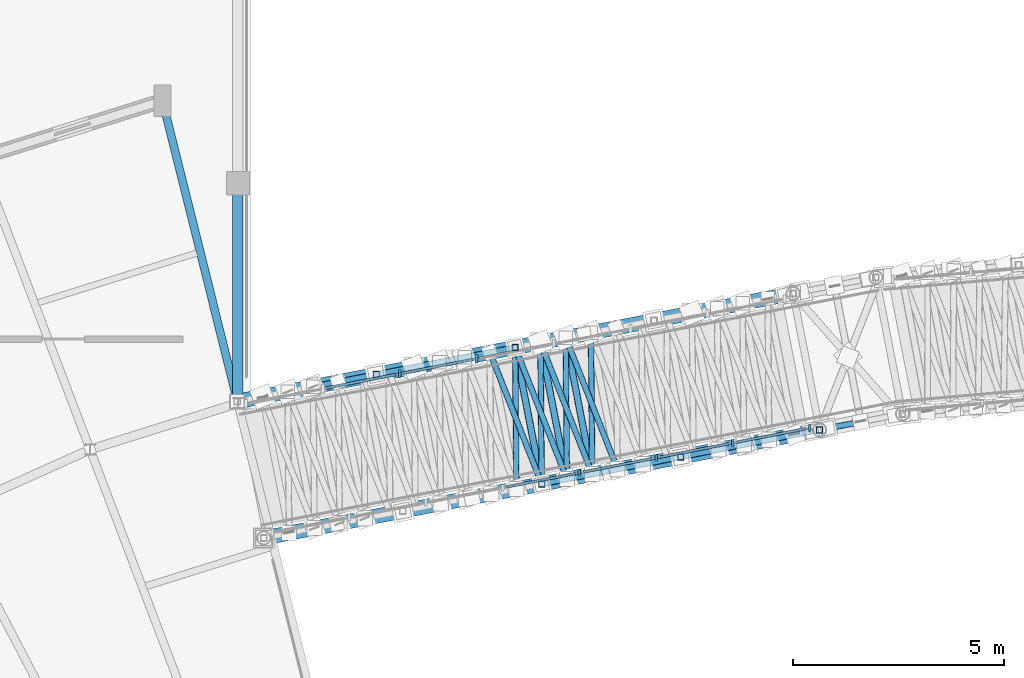
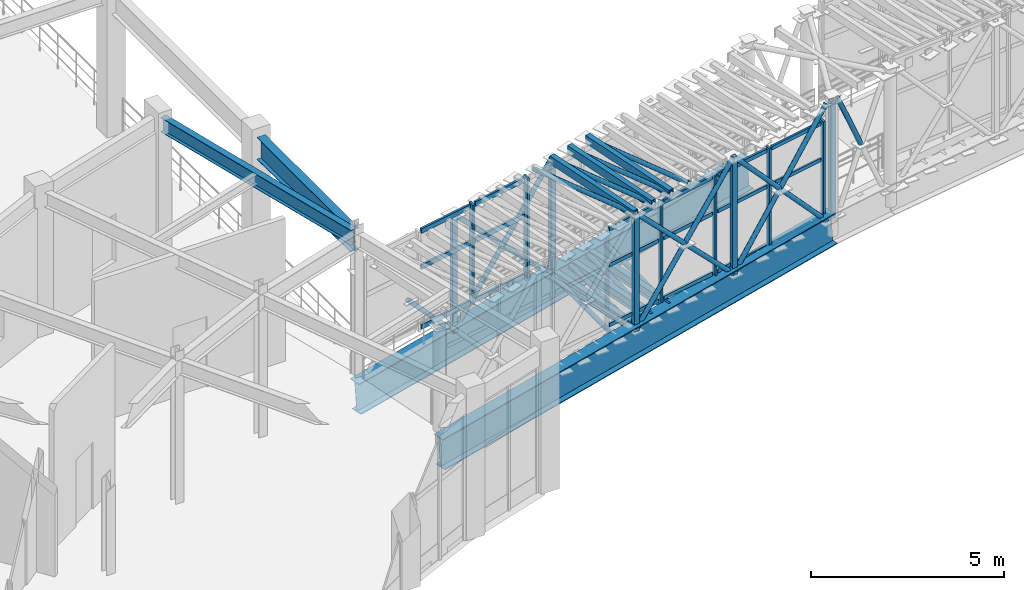
# One storey, part 48 of 144: 51 members, 7 beams, 2 elements without a shape of their own.
"""IFC4 building model written with IfcOpenShell, lengths in metres."""

from ifc_helpers import new_model, si_unit, direction, frame, origin, origin_2d, place, context, subcontext, project, spatial, rectangle, hollow_rectangle, hollow_circle, i_section, extrude, material, material_profile, profile_set, type_object, element, aggregate, save


model = new_model("IFC4")

# Units and contexts
model_context = context("Model", 3, precision=1e-05, world=origin(), true_north=direction((0.0, 1.0)))
body_context = subcontext(model_context, "Body", "Model", "MODEL_VIEW")
ifc_project = project(units=[si_unit("LENGTHUNIT", "METRE"), si_unit("AREAUNIT", "SQUARE_METRE"), si_unit("VOLUMEUNIT", "CUBIC_METRE"), si_unit("PLANEANGLEUNIT", "RADIAN"), si_unit("MASSUNIT", "GRAM", prefix="KILO")], contexts=[model_context])

# Site, building, storey
site_placement = place(None, origin())
site = spatial("IfcSite", under=ifc_project, at=site_placement, CompositionType="ELEMENT")
building_placement = place(site_placement, origin())
building = spatial("IfcBuilding", under=site, at=building_placement, Name="Cinderbank Siding Concert Hall", CompositionType="ELEMENT")
storey_placement = place(building_placement, frame((0.0, 0.0, 5.39990234375)))
storey = spatial("IfcBuildingStorey", under=building, at=storey_placement, Name="L02", CompositionType="ELEMENT", Elevation=5.39990234375)

# Beams
ifc_material_1 = material(Name="Structural steel AS/NZS 3679.1 Grade 350 (340 MPa)", Category="steel")
ifc_material_profile_1 = material_profile(ifc_material_1, i_section(OverallWidth=0.18994140625, OverallDepth=0.45751953125, WebThickness=0.009033203125, FlangeThickness=0.014404296875, at=origin_2d()), Name="460UB74.6", Category="LoadBearing")
ifc_profile_set_1 = profile_set([ifc_material_profile_1], Name="Structural steel AS/NZS 3679.1 Grade 350 (340 MPa)")
beam_type_1 = type_object("IfcBeamType", Name="BM-UB460 460UB74.6", PredefinedType="BEAM", material=ifc_profile_set_1)
beam_1_placement = place(storey_placement, frame((48.471435546875, 98.195556640625, 4.29345703125), z_axis=(-0.241935844922, 0.970292248213, 0.0), x_axis=(-0.970292248213, -0.241935844922, 0.0)))
element("IfcBeam", 1, at=beam_1_placement, inside=storey, type_object=beam_type_1, Name="L02 Beam BM-UB460 #944", PredefinedType="BEAM", context=body_context, shape_type="SweptSolid", body=[
    extrude(i_section(OverallWidth=0.18994140625, OverallDepth=0.45751953125, WebThickness=0.009033203125, FlangeThickness=0.014404296875, at=origin_2d()), origin(), (0.0, 0.0, 1.0), 7.087890625),
])
ifc_material_2 = material(Name="Structural steel welded plate section AS/NZS 3679.2 / AS/NZS 3678 Grade 350 (340 MPa)", Category="steel")
ifc_material_profile_2 = material_profile(ifc_material_2, i_section(OverallWidth=0.35009765625, OverallDepth=1.0, WebThickness=0.013916015625, FlangeThickness=0.02490234375, at=origin_2d()), Name="1000WB258", Category="LoadBearing")
ifc_profile_set_2 = profile_set([ifc_material_profile_2], Name="Structural steel welded plate section AS/NZS 3679.2 / AS/NZS 3678 Grade 350 (340 MPa)")
beam_type_2 = type_object("IfcBeamType", Name="BM-WB1000 1000WB258", PredefinedType="BEAM", material=ifc_profile_set_2)
beam_2_placement = place(storey_placement, frame((48.485107421875, 98.11962890625, -0.719970703125), z_axis=(0.979132442164, 0.190325459353, 0.071245211936), x_axis=(-0.190810340652, 0.981626921952, 0.0)))
element("IfcBeam", 2, at=beam_2_placement, inside=storey, type_object=beam_type_2, Name="L02 Beam BM-WB1000 #1902", PredefinedType="BEAM", context=body_context, shape_type="SweptSolid", body=[
    extrude(i_section(OverallWidth=0.35009765625, OverallDepth=1.0, WebThickness=0.013916015625, FlangeThickness=0.02490234375, at=origin_2d()), origin(), (0.0, 0.0, 1.0), 13.47412109375),
])
beam_3_placement = place(storey_placement, frame((49.114990234375, 94.8798828125, -0.719970703125), z_axis=(0.979123059708, 0.190374470074, 0.071243210844), x_axis=(-0.190859448887, 0.981617374933, 0.0)))
element("IfcBeam", 3, at=beam_3_placement, inside=storey, type_object=beam_type_2, Name="L02 Beam BM-WB1000 #1903", PredefinedType="BEAM", context=body_context, shape_type="SweptSolid", body=[
    extrude(i_section(OverallWidth=0.35009765625, OverallDepth=1.0, WebThickness=0.013916015625, FlangeThickness=0.02490234375, at=origin_2d()), origin(), (0.0, 0.0, 1.0), 13.474365234375),
])
ifc_material_profile_3 = material_profile(ifc_material_2, i_section(OverallWidth=0.25, OverallDepth=0.699951171875, WebThickness=0.010009765625, FlangeThickness=0.01611328125, at=origin_2d()), Name="700WB130", Category="LoadBearing")
ifc_profile_set_3 = profile_set([ifc_material_profile_3], Name="Structural steel welded plate section AS/NZS 3679.2 / AS/NZS 3678 Grade 350 (340 MPa)")
beam_type_3 = type_object("IfcBeamType", Name="BM-WB700 700WB130", PredefinedType="BEAM", material=ifc_profile_set_3)
beam_4_placement = place(storey_placement, frame((48.5, 98.198974609375, 4.172119140625), z_axis=(0.0, 1.0, 0.0), x_axis=(-1.0, 0.0, 0.0)))
element("IfcBeam", 4, at=beam_4_placement, inside=storey, type_object=beam_type_3, Name="L02 Beam BM-WB700 #1488", PredefinedType="BEAM", context=body_context, shape_type="SweptSolid", body=[
    extrude(i_section(OverallWidth=0.25, OverallDepth=0.699951171875, WebThickness=0.010009765625, FlangeThickness=0.01611328125, at=origin_2d()), origin(), (0.0, 0.0, 1.0), 4.833984375),
])

# Members
ifc_material_3 = material(Name="Structural steel hollow section AS/NZS 1163 Grade C350L0 (350 MPa)", Category="steel")
ifc_material_profile_4 = material_profile(ifc_material_3, hollow_circle(Radius=0.06982421875, WallThickness=0.00634765625, at=origin_2d()), Name="139.7x6.4CHS", Category="LoadBearing")
ifc_profile_set_4 = profile_set([ifc_material_profile_4], Name="Structural steel hollow section AS/NZS 1163 Grade C350L0 (350 MPa)")
member_type_1 = type_object("IfcMemberType", Name="BR-CHS139 139.7x6.4CHS Roof Truss", PredefinedType="BRACE", material=ifc_profile_set_4)
member_1_placement = place(storey_placement, frame((50.2373046875, 98.460205078125, 1.515869140625), z_axis=(0.661726184435, 0.128625443398, -0.738629780163), x_axis=(-0.190807427444, 0.981627488222, 0.0)))
element("IfcMember", 5, at=member_1_placement, inside=storey, type_object=member_type_1, Name="L02 Diagonal Brace BR-CHS139 #BRDL-BR-CHS139-L02-0041-S1", PredefinedType="BRACE", context=body_context, shape_type="SweptSolid", body=[
    extrude(hollow_circle(Radius=0.06982421875, WallThickness=0.00634765625, at=origin_2d()), origin(), (0.0, 0.0, 1.0), 2.33642578125),
])
member_2_placement = place(storey_placement, frame((51.783447265625, 98.7607421875, -0.2099609375), z_axis=(0.636944936731, 0.123815042109, 0.76090142786), x_axis=(-0.19081714585, 0.981625599121, 0.0)))
element("IfcMember", 6, at=member_2_placement, inside=storey, type_object=member_type_1, Name="L02 Diagonal Brace BR-CHS139 #BRDL-BR-CHS139-L02-0043", PredefinedType="BRACE", context=body_context, shape_type="SweptSolid", body=[
    extrude(hollow_circle(Radius=0.06982421875, WallThickness=0.00634765625, at=origin_2d()), origin(), (0.0, 0.0, 1.0), 5.177978515625),
])
member_3_placement = place(storey_placement, frame((51.783447265625, 98.7607421875, 3.489990234375), z_axis=(0.683867487027, 0.132962912779, -0.717388405268), x_axis=(-0.19085400127, 0.981618434117, 0.0)))
element("IfcMember", 7, at=member_3_placement, inside=storey, type_object=member_type_1, Name="L02 Diagonal Brace BR-CHS139 #BRDL-BR-CHS139-L02-0044", PredefinedType="BRACE", context=body_context, shape_type="SweptSolid", body=[
    extrude(hollow_circle(Radius=0.06982421875, WallThickness=0.00634765625, at=origin_2d()), origin(), (0.0, 0.0, 1.0), 2.396240234375),
])
member_4_placement = place(storey_placement, frame((53.442626953125, 99.083251953125, 1.749267578125), z_axis=(0.683871737706, 0.132943932326, -0.717387870837), x_axis=(-0.190826606127, 0.981623760101, 0.0)))
element("IfcMember", 8, at=member_4_placement, inside=storey, type_object=member_type_1, Name="L02 Diagonal Brace BR-CHS139 #BRDL-BR-CHS139-L02-0044-S2", PredefinedType="BRACE", context=body_context, shape_type="SweptSolid", body=[
    extrude(hollow_circle(Radius=0.06982421875, WallThickness=0.00634765625, at=origin_2d()), origin(), (0.0, 0.0, 1.0), 2.396484375),
])
member_5_placement = place(storey_placement, frame((55.71142578125, 96.16259765625, 0.030029296875), z_axis=(0.636950106265, 0.123806882239, 0.760898428202), x_axis=(-0.190803535931, 0.981628244641, 0.0)))
element("IfcMember", 9, at=member_5_placement, inside=storey, type_object=member_type_1, Name="L02 Diagonal Brace BR-CHS139 #BRDR-BR-CHS139-L02-0058", PredefinedType="BRACE", context=body_context, shape_type="SweptSolid", body=[
    extrude(hollow_circle(Radius=0.06982421875, WallThickness=0.00634765625, at=origin_2d()), origin(), (0.0, 0.0, 1.0), 5.17822265625),
])
member_6_placement = place(storey_placement, frame((55.71142578125, 96.16259765625, 3.72998046875), z_axis=(0.683921718537, 0.132953648546, -0.717338421007), x_axis=(-0.190826606127, 0.981623760101, 0.0)))
element("IfcMember", 10, at=member_6_placement, inside=storey, type_object=member_type_1, Name="L02 Diagonal Brace BR-CHS139 #BRDR-BR-CHS139-L02-0059", PredefinedType="BRACE", context=body_context, shape_type="SweptSolid", body=[
    extrude(hollow_circle(Radius=0.06982421875, WallThickness=0.00634765625, at=origin_2d()), origin(), (0.0, 0.0, 1.0), 2.396240234375),
])
member_7_placement = place(storey_placement, frame((57.370849609375, 96.485107421875, 1.9892578125), z_axis=(0.683871737706, 0.132943932326, -0.717387870837), x_axis=(-0.190826606127, 0.981623760101, 0.0)))
element("IfcMember", 11, at=member_7_placement, inside=storey, type_object=member_type_1, Name="L02 Diagonal Brace BR-CHS139 #BRDR-BR-CHS139-L02-0059-S7", PredefinedType="BRACE", context=body_context, shape_type="SweptSolid", body=[
    extrude(hollow_circle(Radius=0.06982421875, WallThickness=0.00634765625, at=origin_2d()), origin(), (0.0, 0.0, 1.0), 2.396484375),
])
member_8_placement = place(storey_placement, frame((59.009765625, 96.8037109375, 0.27001953125), z_axis=(0.616631660595, 0.119881786832, 0.778070531724), x_axis=(-0.190840800226, 0.981621000677, 0.0)))
element("IfcMember", 12, at=member_8_placement, inside=storey, type_object=member_type_1, Name="L02 Diagonal Brace BR-CHS139 #BRDR-BR-CHS139-L02-0061", PredefinedType="BRACE", context=body_context, shape_type="SweptSolid", body=[
    extrude(hollow_circle(Radius=0.06982421875, WallThickness=0.00634765625, at=origin_2d()), origin(), (0.0, 0.0, 1.0), 5.04638671875),
])
for number, where, z_axis, x_axis, name in (
    (13, (59.009765625, 96.8037109375, 3.97021484375), (0.661667443383, 0.128634337145, -0.738680852381), (-0.190836463929, 0.981621843703, 0.0), "L02 Diagonal Brace BR-CHS139 #BRDR-BR-CHS139-L02-0062"),
    (14, (60.575439453125, 97.108154296875, 2.22216796875), (0.661777257689, 0.128635370948, -0.738582292333), (-0.190807427444, 0.981627488222, 0.0), "L02 Diagonal Brace BR-CHS139 #BRDR-BR-CHS139-L02-0062-S8"),
):
    element("IfcMember", number, at=place(storey_placement, frame(where, z_axis=z_axis, x_axis=x_axis)), inside=storey, type_object=member_type_1, Name=name, PredefinedType="BRACE", context=body_context, shape_type="SweptSolid", body=[
        extrude(hollow_circle(Radius=0.06982421875, WallThickness=0.00634765625, at=origin_2d()), origin(), (0.0, 0.0, 1.0), 2.33642578125),
    ])
for number, where, z_axis, x_axis, name in (
    (15, (55.11181640625, 96.0458984375, 0.0166015625), (-0.009019682914, 0.999875494615, 0.012947609344), (-0.999959315012, -0.009020439041, 0.0), "L02 Diagonal Brace BR-CHS139 #BRST-BR-CHS139-L02-0092"),
    (16, (54.48193359375, 99.285400390625, 3.656494140625), (0.366312173738, -0.93040091626, 0.013020230163), (0.930479790045, 0.366343227477, 0.0), "L02 Diagonal Brace BR-CHS139 #BRXR-BR-CHS139-L02-0093"),
):
    element("IfcMember", number, at=place(storey_placement, frame(where, z_axis=z_axis, x_axis=x_axis)), inside=storey, type_object=member_type_1, Name=name, PredefinedType="BRACE", context=body_context, shape_type="SweptSolid", body=[
        extrude(hollow_circle(Radius=0.06982421875, WallThickness=0.00634765625, at=origin_2d()), origin(), (0.0, 0.0, 1.0), 3.3564453125),
    ])
member_9_placement = place(storey_placement, frame((55.71142578125, 96.16259765625, 0.06005859375), z_axis=(-0.008947591693, 0.99987518549, 0.013021291975), x_axis=(-0.999959962712, -0.008948350339, 0.0)))
element("IfcMember", 17, at=member_9_placement, inside=storey, type_object=member_type_1, Name="L02 Diagonal Brace BR-CHS139 #BRST-BR-CHS139-L02-0095", PredefinedType="BRACE", context=body_context, shape_type="SweptSolid", body=[
    extrude(hollow_circle(Radius=0.06982421875, WallThickness=0.00634765625, at=origin_2d()), origin(), (0.0, 0.0, 1.0), 3.356201171875),
])
for number, where, z_axis, x_axis, name in (
    (18, (55.08154296875, 99.40185546875, 3.7001953125), (0.366375495518, -0.930377002814, 0.012947158666), (0.930454991664, 0.366406206943, 0.0), "L02 Diagonal Brace BR-CHS139 #BRXR-BR-CHS139-L02-0096"),
    (19, (56.311279296875, 96.279052734375, 0.103759765625), (-0.009019674395, 0.999874550288, 0.013020336425), (-0.999959315012, -0.009020439041, 0.0), "L02 Diagonal Brace BR-CHS139 #BRST-BR-CHS139-L02-0098"),
):
    element("IfcMember", number, at=place(storey_placement, frame(where, z_axis=z_axis, x_axis=x_axis)), inside=storey, type_object=member_type_1, Name=name, PredefinedType="BRACE", context=body_context, shape_type="SweptSolid", body=[
        extrude(hollow_circle(Radius=0.06982421875, WallThickness=0.00634765625, at=origin_2d()), origin(), (0.0, 0.0, 1.0), 3.3564453125),
    ])
for number, where, z_axis, x_axis, name in (
    (20, (55.681396484375, 99.518310546875, 3.74365234375), (0.36633696589, -0.930391142521, 0.013021111377), (0.930470026155, 0.366368025935, 0.0), "L02 Diagonal Brace BR-CHS139 #BRXR-BR-CHS139-L02-0099"),
    (21, (56.910888671875, 96.395751953125, 0.1474609375), (-0.009020338966, 0.999875476502, 0.012948551096), (-0.999959309092, -0.009021095258, 0.0), "L02 Diagonal Brace BR-CHS139 #BRST-BR-CHS139-L02-0101"),
):
    element("IfcMember", number, at=place(storey_placement, frame(where, z_axis=z_axis, x_axis=x_axis)), inside=storey, type_object=member_type_1, Name=name, PredefinedType="BRACE", context=body_context, shape_type="SweptSolid", body=[
        extrude(hollow_circle(Radius=0.06982421875, WallThickness=0.00634765625, at=origin_2d()), origin(), (0.0, 0.0, 1.0), 3.356201171875),
    ])
member_10_placement = place(storey_placement, frame((56.281005859375, 99.635009765625, 3.787353515625), z_axis=(0.366312173738, -0.93040091626, 0.013020230163), x_axis=(0.930479790045, 0.366343227477, 0.0)))
element("IfcMember", 22, at=member_10_placement, inside=storey, type_object=member_type_1, Name="L02 Diagonal Brace BR-CHS139 #BRXR-BR-CHS139-L02-0102", PredefinedType="BRACE", context=body_context, shape_type="SweptSolid", body=[
    extrude(hollow_circle(Radius=0.06982421875, WallThickness=0.00634765625, at=origin_2d()), origin(), (0.0, 0.0, 1.0), 3.3564453125),
])
member_11_placement = place(storey_placement, frame((62.494384765625, 97.481201171875, 4.210205078125), z_axis=(0.393720728838, 0.076479003313, -0.91604309382), x_axis=(-0.190682733917, 0.981651717762, 0.0)))
element("IfcMember", 23, at=member_11_placement, inside=storey, type_object=member_type_1, Name="L02 Diagonal Brace BR-CHS139 #BRDR-BR-CHS139-L02-0133", PredefinedType="BRACE", context=body_context, shape_type="SweptSolid", body=[
    extrude(hollow_circle(Radius=0.06982421875, WallThickness=0.00634765625, at=origin_2d()), origin(), (0.0, 0.0, 1.0), 2.004638671875),
])
ifc_material_profile_5 = material_profile(ifc_material_3, hollow_rectangle(XDim=0.14990234375, YDim=0.14990234375, WallThickness=0.008056640625, at=origin_2d()), Name="150x150x8.0SHS", Category="LoadBearing")
ifc_profile_set_5 = profile_set([ifc_material_profile_5], Name="Structural steel hollow section AS/NZS 1163 Grade C350L0 (350 MPa)")
member_type_2 = type_object("IfcMemberType", Name="BR-SHS150 150x150x8.0SHS Roof Truss", PredefinedType="BRACE", material=ifc_profile_set_5)
for number, where, z_axis, x_axis, name in (
    (24, (51.783447265625, 98.7607421875, -0.2099609375), (0.0, 0.0, 1.0), (1.0, 0.0, 0.0), "L02 Diagonal Brace BR-SHS150 #BRVL-BR-SHS150-L02-0042"),
    (25, (55.08154296875, 99.40185546875, 0.030029296875), (0.0, 0.0, 1.0), (1.0, 0.0, 0.0), "L02 Diagonal Brace BR-SHS150 #BRVL-BR-SHS150-L02-0045"),
    (26, (55.71142578125, 96.16259765625, 0.030029296875), (0.0, 0.0, 1.0), (1.0, 0.0, 0.0), "L02 Diagonal Brace BR-SHS150 #BRVR-BR-SHS150-L02-0057"),
):
    element("IfcMember", number, at=place(storey_placement, frame(where, z_axis=z_axis, x_axis=x_axis)), inside=storey, type_object=member_type_2, Name=name, PredefinedType="BRACE", context=body_context, shape_type="SweptSolid", body=[
        extrude(hollow_rectangle(XDim=0.14990234375, YDim=0.14990234375, WallThickness=0.008056640625, at=origin_2d()), origin(), (0.0, 0.0, 1.0), 3.699951171875),
    ])
for number, where, z_axis, x_axis, name in (
    (27, (59.009765625, 96.8037109375, 0.27001953125), (0.0, 0.0, 1.0), (1.0, 0.0, 0.0), "L02 Diagonal Brace BR-SHS150 #BRVR-BR-SHS150-L02-0060"),
    (28, (62.30810546875, 97.445068359375, 0.510009765625), (0.0, 0.0, 1.0), (1.0, 0.0, 0.0), "L02 Diagonal Brace BR-SHS150 #BRVR-BR-SHS150-L02-0131"),
):
    element("IfcMember", number, at=place(storey_placement, frame(where, z_axis=z_axis, x_axis=x_axis)), inside=storey, type_object=member_type_2, Name=name, PredefinedType="BRACE", context=body_context, shape_type="SweptSolid", body=[
        extrude(hollow_rectangle(XDim=0.14990234375, YDim=0.14990234375, WallThickness=0.008056640625, at=origin_2d()), origin(), (0.0, 0.0, 1.0), 3.7001953125),
    ])

# Curtain wall, members
ifc_material_4 = material(Name="Anodised aluminium alloy 6063-T6", Category="aluminium")
curtain_wall_type = type_object("IfcCurtainWallType", Name="CW-15 Unitised Acoustic Curtain Wall 12800x3200", PredefinedType="NOTDEFINED", material=ifc_material_4)
curtain_wall_1_placement = place(storey_placement, origin())
curtain_wall_1 = element("IfcCurtainWall", 29, at=curtain_wall_1_placement, inside=storey, type_object=curtain_wall_type, Name="L02 Curtain Wall CW-15 #154", PredefinedType="NOTDEFINED")
ifc_material_profile_6 = material_profile(ifc_material_4, rectangle(XDim=0.06005859375, YDim=0.159912109375, at=origin_2d()), Name="ALU-MULL-60x160", Category="LoadBearing")
ifc_profile_set_6 = profile_set([ifc_material_profile_6], Name="Anodised aluminium alloy 6063-T6")
member_type_3 = type_object("IfcMemberType", Name="CW-ML1 Mullion 60x160", PredefinedType="MULLION", material=ifc_profile_set_6)
member_12_placement = place(storey_placement, frame((56.604736328125, 96.427978515625, 0.47998046875), z_axis=(0.0, 0.0, 1.0), x_axis=(1.0, 0.0, 0.0)))
member_12 = element("IfcMember", 30, at=member_12_placement, type_object=member_type_3, Name="CW-L02-154 Mullion 4", PredefinedType="MULLION", context=body_context, shape_type="SweptSolid", body=[
    extrude(rectangle(XDim=0.06005859375, YDim=0.159912109375, at=origin_2d()), origin(), (0.0, 0.0, 1.0), 3.150146484375),
])
member_13_placement = place(storey_placement, frame((58.42578125, 96.781982421875, 0.47998046875), z_axis=(0.0, 0.0, 1.0), x_axis=(1.0, 0.0, 0.0)))
member_13 = element("IfcMember", 31, at=member_13_placement, type_object=member_type_3, Name="CW-L02-154 Mullion 5", PredefinedType="MULLION", context=body_context, shape_type="SweptSolid", body=[
    extrude(rectangle(XDim=0.06005859375, YDim=0.159912109375, at=origin_2d()), origin(), (0.0, 0.0, 1.0), 3.150146484375),
])
member_14_placement = place(storey_placement, frame((60.246826171875, 97.135986328125, 0.47998046875), z_axis=(0.0, 0.0, 1.0), x_axis=(1.0, 0.0, 0.0)))
member_14 = element("IfcMember", 32, at=member_14_placement, type_object=member_type_3, Name="CW-L02-154 Mullion 6", PredefinedType="MULLION", context=body_context, shape_type="SweptSolid", body=[
    extrude(rectangle(XDim=0.06005859375, YDim=0.159912109375, at=origin_2d()), origin(), (0.0, 0.0, 1.0), 3.150146484375),
])
member_15_placement = place(storey_placement, frame((62.068115234375, 97.489990234375, 0.47998046875), z_axis=(0.0, 0.0, 1.0), x_axis=(1.0, 0.0, 0.0)))
member_15 = element("IfcMember", 33, at=member_15_placement, type_object=member_type_3, Name="CW-L02-154 Mullion 7", PredefinedType="MULLION", context=body_context, shape_type="SweptSolid", body=[
    extrude(rectangle(XDim=0.06005859375, YDim=0.159912109375, at=origin_2d()), origin(), (0.0, 0.0, 1.0), 3.150146484375),
])

curtain_wall_2_placement = place(storey_placement, origin())
curtain_wall_2 = element("IfcCurtainWall", 34, at=curtain_wall_2_placement, inside=storey, type_object=curtain_wall_type, Name="L02 Curtain Wall CW-15 #153", PredefinedType="NOTDEFINED")
ifc_material_profile_7 = material_profile(ifc_material_4, rectangle(XDim=0.06494140625, YDim=0.199951171875, at=origin_2d()), Name="ALU-MULL-65x200", Category="LoadBearing")
ifc_profile_set_7 = profile_set([ifc_material_profile_7], Name="Anodised aluminium alloy 6063-T6")
member_type_4 = type_object("IfcMemberType", Name="CW-ML2 Mullion 65x200", PredefinedType="MULLION", material=ifc_profile_set_7)
member_16_placement = place(storey_placement, frame((52.343505859375, 98.778076171875, 0.47998046875), z_axis=(0.0, 0.0, 1.0), x_axis=(1.0, 0.0, 0.0)))
member_16 = element("IfcMember", 35, at=member_16_placement, type_object=member_type_4, Name="CW-L02-153 Mullion 2", PredefinedType="MULLION", context=body_context, shape_type="SweptSolid", body=[
    extrude(rectangle(XDim=0.06494140625, YDim=0.199951171875, at=origin_2d()), origin(), (0.0, 0.0, 1.0), 3.150146484375),
])
member_17_placement = place(storey_placement, frame((54.169189453125, 99.1328125, 0.47998046875), z_axis=(0.0, 0.0, 1.0), x_axis=(1.0, 0.0, 0.0)))
member_17 = element("IfcMember", 36, at=member_17_placement, type_object=member_type_4, Name="CW-L02-153 Mullion 3", PredefinedType="MULLION", context=body_context, shape_type="SweptSolid", body=[
    extrude(rectangle(XDim=0.06494140625, YDim=0.199951171875, at=origin_2d()), origin(), (0.0, 0.0, 1.0), 3.150146484375),
])

# Member
ifc_material_profile_8 = material_profile(ifc_material_4, rectangle(XDim=0.06005859375, YDim=0.1201171875, at=origin_2d()), Name="ALU-TRAN-60x120", Category="LoadBearing")
ifc_profile_set_8 = profile_set([ifc_material_profile_8], Name="Anodised aluminium alloy 6063-T6")
member_type_5 = type_object("IfcMemberType", Name="CW-TR1 Transom 60x120", PredefinedType="USERDEFINED", material=ifc_profile_set_8)
member_18_placement = place(storey_placement, frame((54.874755859375, 96.091552734375, 0.5400390625), z_axis=(0.981623760101, 0.190826606127, 0.0), x_axis=(-0.190826606127, 0.981623760101, 0.0)))
member_18 = element("IfcMember", 37, at=member_18_placement, type_object=member_type_5, Name="CW-L02-154 Transom 3-0", ObjectType="TRANSOM", PredefinedType="USERDEFINED", context=body_context, shape_type="SweptSolid", body=[
    extrude(rectangle(XDim=0.06005859375, YDim=0.1201171875, at=origin_2d()), origin(), (0.0, 0.0, 1.0), 1.669677734375),
])

member_19_placement = place(storey_placement, frame((54.874755859375, 96.091552734375, 2.43310546875), z_axis=(0.981623760101, 0.190826606127, 0.0), x_axis=(-0.190826606127, 0.981623760101, 0.0)))
member_19 = element("IfcMember", 38, at=member_19_placement, type_object=member_type_5, Name="CW-L02-154 Transom 3-1", ObjectType="TRANSOM", PredefinedType="USERDEFINED", context=body_context, shape_type="SweptSolid", body=[
    extrude(rectangle(XDim=0.06005859375, YDim=0.1201171875, at=origin_2d()), origin(), (0.0, 0.0, 1.0), 1.669677734375),
])

member_20_placement = place(storey_placement, frame((54.874755859375, 96.091552734375, 3.570068359375), z_axis=(0.981623760101, 0.190826606127, 0.0), x_axis=(-0.190826606127, 0.981623760101, 0.0)))
member_20 = element("IfcMember", 39, at=member_20_placement, type_object=member_type_5, Name="CW-L02-154 Transom 3-2", ObjectType="TRANSOM", PredefinedType="USERDEFINED", context=body_context, shape_type="SweptSolid", body=[
    extrude(rectangle(XDim=0.06005859375, YDim=0.1201171875, at=origin_2d()), origin(), (0.0, 0.0, 1.0), 1.669677734375),
])

member_21_placement = place(storey_placement, frame((56.69580078125, 96.445556640625, 0.5400390625), z_axis=(0.981623760101, 0.190826606127, 0.0), x_axis=(-0.190826606127, 0.981623760101, 0.0)))
member_21 = element("IfcMember", 40, at=member_21_placement, type_object=member_type_5, Name="CW-L02-154 Transom 4-0", ObjectType="TRANSOM", PredefinedType="USERDEFINED", context=body_context, shape_type="SweptSolid", body=[
    extrude(rectangle(XDim=0.06005859375, YDim=0.1201171875, at=origin_2d()), origin(), (0.0, 0.0, 1.0), 1.669677734375),
])

member_22_placement = place(storey_placement, frame((56.69580078125, 96.445556640625, 2.43310546875), z_axis=(0.981623760101, 0.190826606127, 0.0), x_axis=(-0.190826606127, 0.981623760101, 0.0)))
member_22 = element("IfcMember", 41, at=member_22_placement, type_object=member_type_5, Name="CW-L02-154 Transom 4-1", ObjectType="TRANSOM", PredefinedType="USERDEFINED", context=body_context, shape_type="SweptSolid", body=[
    extrude(rectangle(XDim=0.06005859375, YDim=0.1201171875, at=origin_2d()), origin(), (0.0, 0.0, 1.0), 1.669677734375),
])

member_23_placement = place(storey_placement, frame((56.69580078125, 96.445556640625, 3.570068359375), z_axis=(0.981623760101, 0.190826606127, 0.0), x_axis=(-0.190826606127, 0.981623760101, 0.0)))
member_23 = element("IfcMember", 42, at=member_23_placement, type_object=member_type_5, Name="CW-L02-154 Transom 4-2", ObjectType="TRANSOM", PredefinedType="USERDEFINED", context=body_context, shape_type="SweptSolid", body=[
    extrude(rectangle(XDim=0.06005859375, YDim=0.1201171875, at=origin_2d()), origin(), (0.0, 0.0, 1.0), 1.669677734375),
])

member_24_placement = place(storey_placement, frame((58.516845703125, 96.799560546875, 0.5400390625), z_axis=(0.981629083791, 0.190799218699, 0.0), x_axis=(-0.190799218699, 0.981629083791, 0.0)))
member_24 = element("IfcMember", 43, at=member_24_placement, type_object=member_type_5, Name="CW-L02-154 Transom 5-0", ObjectType="TRANSOM", PredefinedType="USERDEFINED", context=body_context, shape_type="SweptSolid", body=[
    extrude(rectangle(XDim=0.06005859375, YDim=0.1201171875, at=origin_2d()), origin(), (0.0, 0.0, 1.0), 1.669921875),
])

member_25_placement = place(storey_placement, frame((58.516845703125, 96.799560546875, 2.43310546875), z_axis=(0.981629083791, 0.190799218699, 0.0), x_axis=(-0.190799218699, 0.981629083791, 0.0)))
member_25 = element("IfcMember", 44, at=member_25_placement, type_object=member_type_5, Name="CW-L02-154 Transom 5-1", ObjectType="TRANSOM", PredefinedType="USERDEFINED", context=body_context, shape_type="SweptSolid", body=[
    extrude(rectangle(XDim=0.06005859375, YDim=0.1201171875, at=origin_2d()), origin(), (0.0, 0.0, 1.0), 1.669921875),
])

member_26_placement = place(storey_placement, frame((58.516845703125, 96.799560546875, 3.570068359375), z_axis=(0.981629083791, 0.190799218699, 0.0), x_axis=(-0.190799218699, 0.981629083791, 0.0)))
member_26 = element("IfcMember", 45, at=member_26_placement, type_object=member_type_5, Name="CW-L02-154 Transom 5-2", ObjectType="TRANSOM", PredefinedType="USERDEFINED", context=body_context, shape_type="SweptSolid", body=[
    extrude(rectangle(XDim=0.06005859375, YDim=0.1201171875, at=origin_2d()), origin(), (0.0, 0.0, 1.0), 1.669921875),
])

member_27_placement = place(storey_placement, frame((60.337890625, 97.153564453125, 0.5400390625), z_axis=(0.981623760101, 0.190826606127, 0.0), x_axis=(-0.190826606127, 0.981623760101, 0.0)))
member_27 = element("IfcMember", 46, at=member_27_placement, type_object=member_type_5, Name="CW-L02-154 Transom 6-0", ObjectType="TRANSOM", PredefinedType="USERDEFINED", context=body_context, shape_type="SweptSolid", body=[
    extrude(rectangle(XDim=0.06005859375, YDim=0.1201171875, at=origin_2d()), origin(), (0.0, 0.0, 1.0), 1.669677734375),
])

member_28_placement = place(storey_placement, frame((60.337890625, 97.153564453125, 2.43310546875), z_axis=(0.981623760101, 0.190826606127, 0.0), x_axis=(-0.190826606127, 0.981623760101, 0.0)))
member_28 = element("IfcMember", 47, at=member_28_placement, type_object=member_type_5, Name="CW-L02-154 Transom 6-1", ObjectType="TRANSOM", PredefinedType="USERDEFINED", context=body_context, shape_type="SweptSolid", body=[
    extrude(rectangle(XDim=0.06005859375, YDim=0.1201171875, at=origin_2d()), origin(), (0.0, 0.0, 1.0), 1.669677734375),
])

member_29_placement = place(storey_placement, frame((60.337890625, 97.153564453125, 3.570068359375), z_axis=(0.981623760101, 0.190826606127, 0.0), x_axis=(-0.190826606127, 0.981623760101, 0.0)))
member_29 = element("IfcMember", 48, at=member_29_placement, type_object=member_type_5, Name="CW-L02-154 Transom 6-2", ObjectType="TRANSOM", PredefinedType="USERDEFINED", context=body_context, shape_type="SweptSolid", body=[
    extrude(rectangle(XDim=0.06005859375, YDim=0.1201171875, at=origin_2d()), origin(), (0.0, 0.0, 1.0), 1.669677734375),
])

aggregate(curtain_wall_1, [member_12, member_13, member_14, member_15, member_18, member_19, member_20, member_21, member_22, member_23, member_24, member_25, member_26, member_27, member_28, member_29])

ifc_material_profile_9 = material_profile(ifc_material_4, rectangle(XDim=0.06494140625, YDim=0.14990234375, at=origin_2d()), Name="ALU-TRAN-65x150", Category="LoadBearing")
ifc_profile_set_9 = profile_set([ifc_material_profile_9], Name="Anodised aluminium alloy 6063-T6")
member_type_6 = type_object("IfcMemberType", Name="CW-TR2 Transom 65x150", PredefinedType="USERDEFINED", material=ifc_profile_set_9)
member_30_placement = place(storey_placement, frame((50.60888671875, 98.44091796875, 0.5400390625), z_axis=(0.981637394419, 0.190756456975, 0.0), x_axis=(-0.190756456975, 0.981637394419, 0.0)))
member_30 = element("IfcMember", 49, at=member_30_placement, type_object=member_type_6, Name="CW-L02-153 Transom 1-0", ObjectType="TRANSOM", PredefinedType="USERDEFINED", context=body_context, shape_type="SweptSolid", body=[
    extrude(rectangle(XDim=0.06494140625, YDim=0.14990234375, at=origin_2d()), origin(), (0.0, 0.0, 1.0), 1.674072265625),
])

member_31_placement = place(storey_placement, frame((50.60888671875, 98.44091796875, 2.43310546875), z_axis=(0.981637394419, 0.190756456975, 0.0), x_axis=(-0.190756456975, 0.981637394419, 0.0)))
member_31 = element("IfcMember", 50, at=member_31_placement, type_object=member_type_6, Name="CW-L02-153 Transom 1-1", ObjectType="TRANSOM", PredefinedType="USERDEFINED", context=body_context, shape_type="SweptSolid", body=[
    extrude(rectangle(XDim=0.06494140625, YDim=0.14990234375, at=origin_2d()), origin(), (0.0, 0.0, 1.0), 1.674072265625),
])

member_32_placement = place(storey_placement, frame((50.60888671875, 98.44091796875, 3.570068359375), z_axis=(0.981637394419, 0.190756456975, 0.0), x_axis=(-0.190756456975, 0.981637394419, 0.0)))
member_32 = element("IfcMember", 51, at=member_32_placement, type_object=member_type_6, Name="CW-L02-153 Transom 1-2", ObjectType="TRANSOM", PredefinedType="USERDEFINED", context=body_context, shape_type="SweptSolid", body=[
    extrude(rectangle(XDim=0.06494140625, YDim=0.14990234375, at=origin_2d()), origin(), (0.0, 0.0, 1.0), 1.674072265625),
])

member_33_placement = place(storey_placement, frame((52.434814453125, 98.795654296875, 0.5400390625), z_axis=(0.981632086513, 0.190783769563, 0.0), x_axis=(-0.190783769563, 0.981632086513, 0.0)))
member_33 = element("IfcMember", 52, at=member_33_placement, type_object=member_type_6, Name="CW-L02-153 Transom 2-0", ObjectType="TRANSOM", PredefinedType="USERDEFINED", context=body_context, shape_type="SweptSolid", body=[
    extrude(rectangle(XDim=0.06494140625, YDim=0.14990234375, at=origin_2d()), origin(), (0.0, 0.0, 1.0), 1.673828125),
])

member_34_placement = place(storey_placement, frame((52.434814453125, 98.795654296875, 2.43310546875), z_axis=(0.981632086513, 0.190783769563, 0.0), x_axis=(-0.190783769563, 0.981632086513, 0.0)))
member_34 = element("IfcMember", 53, at=member_34_placement, type_object=member_type_6, Name="CW-L02-153 Transom 2-1", ObjectType="TRANSOM", PredefinedType="USERDEFINED", context=body_context, shape_type="SweptSolid", body=[
    extrude(rectangle(XDim=0.06494140625, YDim=0.14990234375, at=origin_2d()), origin(), (0.0, 0.0, 1.0), 1.673828125),
])

member_35_placement = place(storey_placement, frame((52.434814453125, 98.795654296875, 3.570068359375), z_axis=(0.981632086513, 0.190783769563, 0.0), x_axis=(-0.190783769563, 0.981632086513, 0.0)))
member_35 = element("IfcMember", 54, at=member_35_placement, type_object=member_type_6, Name="CW-L02-153 Transom 2-2", ObjectType="TRANSOM", PredefinedType="USERDEFINED", context=body_context, shape_type="SweptSolid", body=[
    extrude(rectangle(XDim=0.06494140625, YDim=0.14990234375, at=origin_2d()), origin(), (0.0, 0.0, 1.0), 1.673828125),
])

aggregate(curtain_wall_2, [member_16, member_17, member_30, member_31, member_32, member_33, member_34, member_35])

# Beams
ifc_material_profile_10 = material_profile(ifc_material_1, i_section(OverallWidth=0.1650390625, OverallDepth=0.303955078125, WebThickness=0.006103515625, FlangeThickness=0.01025390625, at=origin_2d()), Name="310UB40.4", Category="LoadBearing")
ifc_profile_set_10 = profile_set([ifc_material_profile_10], Name="Structural steel AS/NZS 3679.1 Grade 350 (340 MPa)")
beam_type_4 = type_object("IfcBeamType", Name="JS-UB310 310UB40.4", PredefinedType="JOIST", material=ifc_profile_set_10)
for number, where, z_axis, x_axis, name in (
    (55, (55.71142578125, 96.16259765625, 0.108154296875), (-0.190877580012, 0.981613849458, 0.0), (-0.981613849458, -0.190877580012, 0.0), "L02 Beam JS-UB310 #1913"),
    (56, (56.311279296875, 96.279052734375, 0.151611328125), (-0.190877580012, 0.981613849458, 0.0), (-0.981613849458, -0.190877580012, 0.0), "L02 Beam JS-UB310 #1914"),
    (57, (56.910888671875, 96.395751953125, 0.1953125), (-0.190877580012, 0.981613849458, 0.0), (-0.981613849458, -0.190877580012, 0.0), "L02 Beam JS-UB310 #1915"),
):
    element("IfcBeam", number, at=place(storey_placement, frame(where, z_axis=z_axis, x_axis=x_axis)), inside=storey, type_object=beam_type_4, Name=name, PredefinedType="JOIST", context=body_context, shape_type="SweptSolid", body=[
        extrude(i_section(OverallWidth=0.1650390625, OverallDepth=0.303955078125, WebThickness=0.006103515625, FlangeThickness=0.01025390625, at=origin_2d()), origin(), (0.0, 0.0, 1.0), 3.300048828125),
    ])

# Members
ifc_material_profile_11 = material_profile(ifc_material_3, hollow_rectangle(XDim=0.14990234375, YDim=0.25, WallThickness=0.009033203125, at=origin_2d()), Name="250x150x9.0RHS", Category="LoadBearing")
ifc_profile_set_11 = profile_set([ifc_material_profile_11], Name="Structural steel hollow section AS/NZS 1163 Grade C350L0 (350 MPa)")
member_type_7 = type_object("IfcMemberType", Name="PR-RHS250 250x150x9.0RHS Roof Truss", PredefinedType="PURLIN", material=ifc_profile_set_11)
for number, where, z_axis, x_axis, name in (
    (58, (55.71142578125, 96.16259765625, 3.7001953125), (-0.190877580012, 0.981613849458, 0.0), (-0.981613849458, -0.190877580012, 0.0), "L02 Roof Truss Member PR-RHS250 #91"),
    (59, (56.311279296875, 96.279052734375, 3.74365234375), (-0.190877580012, 0.981613849458, 0.0), (-0.981613849458, -0.190877580012, 0.0), "L02 Roof Truss Member PR-RHS250 #94"),
    (60, (56.910888671875, 96.395751953125, 3.787353515625), (-0.190877580012, 0.981613849458, 0.0), (-0.981613849458, -0.190877580012, 0.0), "L02 Roof Truss Member PR-RHS250 #97"),
):
    element("IfcMember", number, at=place(storey_placement, frame(where, z_axis=z_axis, x_axis=x_axis)), inside=storey, type_object=member_type_7, Name=name, PredefinedType="PURLIN", context=body_context, shape_type="SweptSolid", body=[
        extrude(hollow_rectangle(XDim=0.14990234375, YDim=0.25, WallThickness=0.009033203125, at=origin_2d()), origin(), (0.0, 0.0, 1.0), 3.300048828125),
    ])

save(model, "model.ifc")
